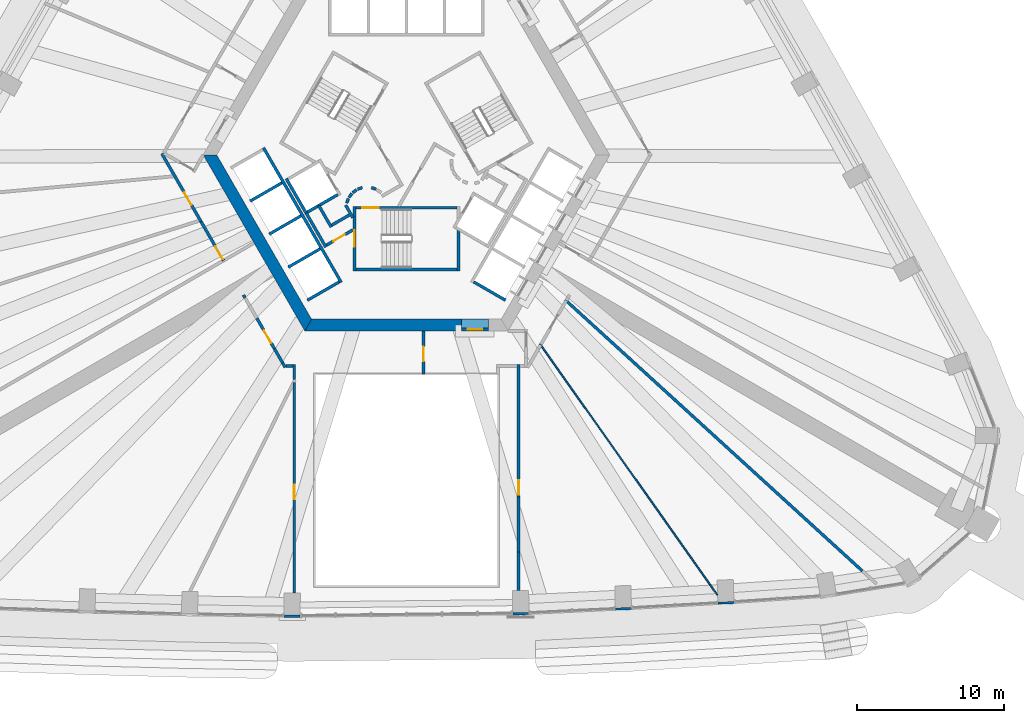
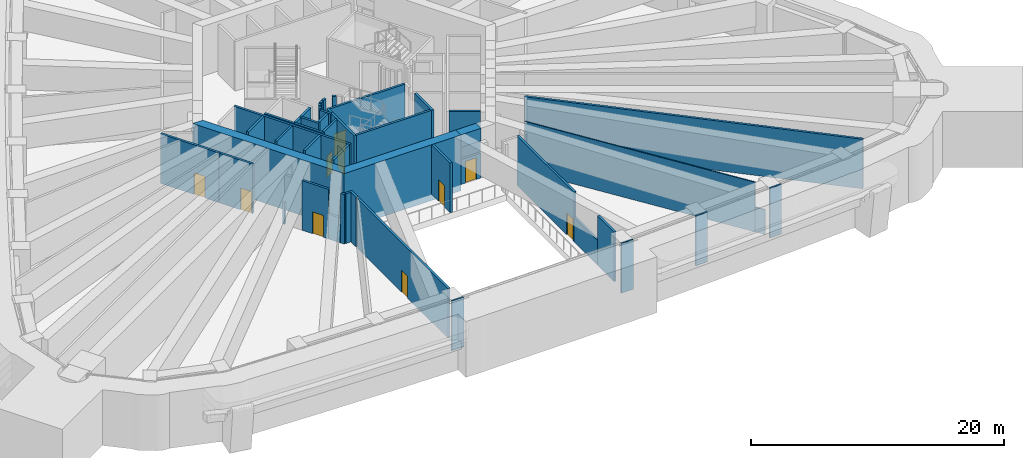
# One storey, part 9 of 22: 46 walls, 10 doors, 10 openings.
"""IFC4 building model written with IfcOpenShell, lengths in metres."""

from ifc_helpers import new_model, si_unit, direction, frame, frame_2d, origin, place, context, subcontext, project, spatial, polyline, rectangle, outline, extrude, material, layer, layer_set, type_object, element, fill, save


model = new_model("IFC4")

# Units and contexts
model_context = context("Model", 3, precision=1e-05, world=origin(), true_north=direction((0.0, 1.0)))
body_context = subcontext(model_context, "Body", "Model", "MODEL_VIEW")
ifc_project = project(units=[si_unit("LENGTHUNIT", "METRE"), si_unit("AREAUNIT", "SQUARE_METRE"), si_unit("VOLUMEUNIT", "CUBIC_METRE"), si_unit("PLANEANGLEUNIT", "RADIAN"), si_unit("MASSUNIT", "GRAM", prefix="KILO")], contexts=[model_context])

# Site, building, storey
site_placement = place(None, origin())
site = spatial("IfcSite", under=ifc_project, at=site_placement, CompositionType="ELEMENT")
building_placement = place(site_placement, origin())
building = spatial("IfcBuilding", under=site, at=building_placement, Name="Entoto Arch Interchange Tower", CompositionType="ELEMENT")
storey_placement = place(building_placement, frame((0.0, 0.0, 132.800048828125)))
storey = spatial("IfcBuildingStorey", under=building, at=storey_placement, Name="L29", CompositionType="ELEMENT", Elevation=132.800048828125)

# Wall, opening, door
ifc_material_1 = material(Name="Reinforced concrete C40/50", Category="concrete")
ifc_layer_1 = layer(ifc_material_1, 0.199951171875)
ifc_layer_set_1 = layer_set([ifc_layer_1], Name="Reinforced concrete C40/50")
wall_type_1 = type_object("IfcWallType", Name="CORE GAP INFILL WALL", PredefinedType="PARTITIONING", material=ifc_layer_set_1)
wall_1_placement = place(storey_placement, frame((3.75, -9.39990234375, 0.0), z_axis=(0.0, 0.0, 1.0), x_axis=(1.0, 0.0, 0.0)))
wall_1 = element("IfcWall", 1, at=wall_1_placement, inside=storey, type_object=wall_type_1, Name="wall:L29:gap1", PredefinedType="PARTITIONING", context=body_context, shape_type="SweptSolid", body=[
    extrude(rectangle(XDim=1.830078125, YDim=0.199951171875, at=frame_2d((0.9150390625, 0.0))), origin(), (0.0, 0.0, 1.0), 2.39990234375),
])
opening_1_placement = place(wall_1_placement, frame((0.4150390625, 0.0, 0.0)))
opening_1 = element("IfcOpeningElement", 2, at=opening_1_placement, cuts=wall_1, Name="Opening L29-D91", PredefinedType="OPENING", context=body_context, shape_type="SweptSolid", body=[
    extrude(rectangle(XDim=1.0, YDim=2.10009765625, at=frame_2d((0.5, 1.050048828125))), frame((0.0, 0.10986328125, 0.0), z_axis=(0.0, -1.0, 0.0), x_axis=(1.0, 0.0, 0.0)), (0.0, 0.0, 1.0), 0.219970703125),
])
ifc_material_2 = material(Name="Fire-rated Steel S235 door and frame", Category="steel")
door_type_1 = type_object("IfcDoorType", Name="DOOR FD-10 1000x2100", OperationType="SINGLE_SWING_LEFT", PredefinedType="DOOR", material=ifc_material_2)
door_1_placement = place(opening_1_placement, origin())
door_1 = element("IfcDoor", 3, at=door_1_placement, inside=storey, type_object=door_type_1, Name="door:L29:gap1", OperationType="SINGLE_SWING_LEFT", OverallHeight=2.10009765625, OverallWidth=1.0, PredefinedType="DOOR", context=body_context, shape_type="SweptSolid", body=[
    extrude(rectangle(XDim=1.0, YDim=2.10009765625, at=frame_2d((0.5, 1.050048828125))), frame((0.0, 0.02490234375, 0.0), z_axis=(0.0, -1.0, 0.0), x_axis=(1.0, 0.0, 0.0)), (0.0, 0.0, 1.0), 0.050048828125),
])
fill(opening_1, door_1)

# Walls
ifc_material_3 = material(Name="Concrete C60/75", Category="concrete")
ifc_layer_2 = layer(ifc_material_3, 0.800048828125)
ifc_layer_set_2 = layer_set([ifc_layer_2], Name="Concrete C60/75")
wall_type_2 = type_object("IfcWallType", Name="Core wall 800 C60/75", PredefinedType="SHEAR", material=ifc_layer_set_2)
wall_2_placement = place(storey_placement, frame((0.0, 0.0, -0.60009765625)))
element("IfcWall", 4, at=wall_2_placement, inside=storey, type_object=wall_type_2, Name="Core wall SW L29", PredefinedType="SHEAR", context=body_context, shape_type="SweptSolid", body=[
    extrude(outline(polyline([(-13.85595703125, 2.5), (-6.927978515625, -9.5), (-6.466064453125, -8.699951171875), (-12.93310546875, 2.5), (-13.85595703125, 2.5)])), origin(), (0.0, 0.0, 1.0), 5.400146484375),
])
wall_3_placement = place(storey_placement, frame((0.0, 0.0, -0.60009765625)))
element("IfcWall", 5, at=wall_3_placement, inside=storey, type_object=wall_type_2, Name="Core wall S L29", PredefinedType="SHEAR", context=body_context, shape_type="SweptSolid", body=[
    extrude(outline(polyline([(3.75, -9.5), (3.75, -8.699951171875), (-6.466064453125, -8.699951171875), (-6.927978515625, -9.5), (3.75, -9.5)])), origin(), (0.0, 0.0, 1.0), 5.400146484375),
])
wall_4_placement = place(storey_placement, frame((0.0, 0.0, 3.599853515625)))
element("IfcWall", 6, at=wall_4_placement, inside=storey, type_object=wall_type_2, Name="Core wall lintel S L29", PredefinedType="SHEAR", context=body_context, shape_type="SweptSolid", body=[
    extrude(outline(polyline([(5.580078125, -9.5), (5.580078125, -8.699951171875), (3.75, -8.699951171875), (3.75, -9.5), (5.580078125, -9.5)])), origin(), (0.0, 0.0, 1.0), 1.2001953125),
])
ifc_material_4 = material(Name="Concrete C40/50", Category="concrete")
ifc_layer_3 = layer(ifc_material_4, 0.199951171875)
ifc_layer_set_3 = layer_set([ifc_layer_3], Name="Concrete C40/50")
wall_type_3 = type_object("IfcWallType", Name="LIFT SHAFT WALL 200", PredefinedType="STANDARD", material=ifc_layer_set_3)
wall_5_placement = place(storey_placement, frame((-8.19189453125, 0.887939453125, 0.0), z_axis=(0.0, 0.0, 1.0), x_axis=(0.49994636267, -0.866056369097, 0.0)))
element("IfcWall", 7, at=wall_5_placement, inside=storey, type_object=wall_type_3, Name="Shaft wall SW1 back", PredefinedType="STANDARD", context=body_context, shape_type="SweptSolid", body=[
    extrude(rectangle(XDim=2.800048828125, YDim=0.199951171875, at=frame_2d((1.39990234375, 0.0))), origin(), (0.0, 0.0, 1.0), 4.800048828125),
])
wall_6_placement = place(storey_placement, frame((-4.677001953125, -0.199951171875, 0.0), z_axis=(0.0, 0.0, 1.0), x_axis=(-0.865973769406, -0.500089422704, 0.0)))
element("IfcWall", 8, at=wall_6_placement, inside=storey, type_object=wall_type_3, Name="Shaft wall SW1 cross 2", PredefinedType="STANDARD", context=body_context, shape_type="SweptSolid", body=[
    extrude(rectangle(XDim=2.3994140625, YDim=0.199951171875, at=frame_2d((1.19970703125, 0.0))), origin(), (0.0, 0.0, 1.0), 4.800048828125),
])
wall_7_placement = place(storey_placement, frame((-9.7509765625, 2.989990234375, 0.0), z_axis=(0.0, 0.0, 1.0), x_axis=(0.50000090737, -0.866024879913, 0.0)))
element("IfcWall", 9, at=wall_7_placement, inside=storey, type_object=wall_type_3, Name="Shaft wall SW3 front", PredefinedType="STANDARD", context=body_context, shape_type="SweptSolid", body=[
    extrude(rectangle(XDim=10.60009765625, YDim=0.199951171875, at=frame_2d((5.300048828125, 0.0))), origin(), (0.0, 0.0, 1.0), 4.800048828125),
])
for number, where, z_axis, x_axis, name in (
    (10, (-8.488037109375, 0.60205078125, 0.0), (0.0, 0.0, 1.0), (-0.866022959057, -0.500004234368, 0.0), "Shaft wall SW3 cross 2"),
    (11, (-7.18798828125, -1.64990234375, 0.0), (0.0, 0.0, 1.0), (-0.866022959057, -0.500004234368, 0.0), "Shaft wall SW3 cross 3"),
    (12, (-5.887939453125, -3.902099609375, 0.0), (0.0, 0.0, 1.0), (-0.866022959057, -0.500004234368, 0.0), "Shaft wall SW3 cross 4"),
    (13, (-4.587890625, -6.153076171875, 0.0), (0.0, 0.0, 1.0), (-0.866022959057, -0.500004234368, 0.0), "Shaft wall SW3 cross 5"),
    (14, (4.587890625, -6.153076171875, 0.0), (0.0, 0.0, 1.0), (0.866022959057, -0.500004234368, 0.0), "Shaft wall SE3 cross 1"),
):
    element("IfcWall", number, at=place(storey_placement, frame(where, z_axis=z_axis, x_axis=x_axis)), inside=storey, type_object=wall_type_3, Name=name, PredefinedType="STANDARD", context=body_context, shape_type="SweptSolid", body=[
        extrude(rectangle(XDim=2.5, YDim=0.199951171875, at=frame_2d((1.25, 0.0))), origin(), (0.0, 0.0, 1.0), 4.800048828125),
    ])
ifc_material_5 = material(Name="Gypsum board partition on steel studs", Category="steel")
ifc_layer_4 = layer(ifc_material_5, 0.10009765625)
ifc_layer_set_4 = layer_set([ifc_layer_4], Name="Gypsum board partition on steel studs")
wall_type_4 = type_object("IfcWallType", Name="PARTITION 100", PredefinedType="PARTITIONING", material=ifc_layer_set_4)
wall_8_placement = place(storey_placement, frame((9.092041015625, -10.3701171875, 0.0), z_axis=(0.0, 0.0, 1.0), x_axis=(0.577122389033, -0.816657668841, 0.0)))
element("IfcWall", 15, at=wall_8_placement, inside=storey, type_object=wall_type_4, Name="wall:L29:p042", PredefinedType="PARTITIONING", context=body_context, shape_type="SweptSolid", body=[
    extrude(rectangle(XDim=20.118408203125, YDim=0.10009765625, at=frame_2d((10.05908203125, 0.0))), origin(), (0.0, 0.0, 1.0), 4.800048828125),
])
wall_9_placement = place(storey_placement, frame((20.702880859375, -26.800048828125, 0.0), z_axis=(0.0, 0.0, 1.0), x_axis=(0.577265327721, -0.816556636989, 0.0)))
element("IfcWall", 16, at=wall_9_placement, inside=storey, type_object=wall_type_4, Name="wall:L29:p042", PredefinedType="PARTITIONING", context=body_context, shape_type="SweptSolid", body=[
    extrude(rectangle(XDim=0.85595703125, YDim=0.10009765625, at=frame_2d((0.427978515625, 0.0))), origin(), (0.0, 0.0, 1.0), 2.39990234375),
])
ifc_layer_5 = layer(ifc_material_5, 0.199951171875)
ifc_layer_set_5 = layer_set([ifc_layer_5], Name="Gypsum board partition on steel studs")
wall_type_5 = type_object("IfcWallType", Name="PARTITION 200", PredefinedType="PARTITIONING", material=ifc_layer_set_5)
wall_10_placement = place(storey_placement, frame((-3.89990234375, -1.59912109375, 0.0), z_axis=(0.0, 0.0, 1.0), x_axis=(-0.865969445389, -0.500096910261, 0.0)))
element("IfcWall", 17, at=wall_10_placement, inside=storey, type_object=wall_type_5, Name="wall:L29:p007", PredefinedType="PARTITIONING", context=body_context, shape_type="SweptSolid", body=[
    extrude(rectangle(XDim=1.373291015625, YDim=0.199951171875, at=frame_2d((0.6865234375, 0.0))), origin(), (0.0, 0.0, 1.0), 4.800048828125),
])
wall_11_placement = place(storey_placement, frame((-5.1259765625, -2.422119140625, 0.0), z_axis=(0.0, 0.0, 1.0), x_axis=(-0.500062241894, 0.865989465428, 0.0)))
element("IfcWall", 18, at=wall_11_placement, inside=storey, type_object=wall_type_5, Name="wall:L29:p008", PredefinedType="PARTITIONING", context=body_context, shape_type="SweptSolid", body=[
    extrude(rectangle(XDim=1.699951171875, YDim=0.199951171875, at=frame_2d((0.85009765625, 0.0))), origin(), (0.0, 0.0, 1.0), 4.800048828125),
])
wall_12_placement = place(storey_placement, frame((-5.491943359375, -3.7880859375, 0.0), z_axis=(0.0, 0.0, 1.0), x_axis=(-0.500008949224, 0.866020236886, 0.0)))
element("IfcWall", 19, at=wall_12_placement, inside=storey, type_object=wall_type_5, Name="wall:L29:p009", PredefinedType="PARTITIONING", context=body_context, shape_type="SweptSolid", body=[
    extrude(rectangle(XDim=2.68017578125, YDim=0.199951171875, at=frame_2d((1.340087890625, 0.0))), origin(), (0.0, 0.0, 1.0), 4.800048828125),
])
wall_13_placement = place(storey_placement, frame((-4.14501953125, -0.919921875, 0.0), z_axis=(0.0, 0.0, 1.0), x_axis=(0.499743786207, -0.866173278362, 0.0)))
element("IfcWall", 20, at=wall_13_placement, inside=storey, type_object=wall_type_5, Name="wall:L29:p010", PredefinedType="PARTITIONING", context=body_context, shape_type="SweptSolid", body=[
    extrude(rectangle(XDim=0.99072265625, YDim=0.199951171875, at=frame_2d((0.495361328125, 0.0))), origin(), (0.0, 0.0, 1.0), 4.800048828125),
])

# Wall, opening, door
wall_14_placement = place(storey_placement, frame((-3.64990234375, -2.610107421875, 0.0), z_axis=(0.0, 0.0, 1.0), x_axis=(-0.866072462134, -0.499918483688, 0.0)))
wall_14 = element("IfcWall", 21, at=wall_14_placement, inside=storey, type_object=wall_type_5, Name="wall:L29:p011", PredefinedType="PARTITIONING", context=body_context, shape_type="SweptSolid", body=[
    extrude(rectangle(XDim=2.084228515625, YDim=0.199951171875, at=frame_2d((1.0419921875, 0.0))), origin(), (0.0, 0.0, 1.0), 4.800048828125),
])
opening_2_placement = place(wall_14_placement, frame((0.64208984375, 0.0, 0.0)))
opening_2 = element("IfcOpeningElement", 22, at=opening_2_placement, cuts=wall_14, Name="Opening L29-D23", PredefinedType="OPENING", context=body_context, shape_type="SweptSolid", body=[
    extrude(rectangle(XDim=0.89990234375, YDim=2.10009765625, at=frame_2d((0.449951171875, 1.050048828125))), frame((0.0, 0.10986328125, 0.0), z_axis=(0.0, -1.0, 0.0), x_axis=(1.0, 0.0, 0.0)), (0.0, 0.0, 1.0), 0.219970703125),
])
ifc_material_6 = material(Name="Timber door leaf in Steel S235 frame", Category="steel")
door_type_2 = type_object("IfcDoorType", Name="DOOR DS-09 900x2100", OperationType="SINGLE_SWING_LEFT", PredefinedType="DOOR", material=ifc_material_6)
door_2_placement = place(opening_2_placement, origin())
door_2 = element("IfcDoor", 23, at=door_2_placement, inside=storey, type_object=door_type_2, Name="door:L29:23", OperationType="SINGLE_SWING_LEFT", OverallHeight=2.10009765625, OverallWidth=0.89990234375, PredefinedType="DOOR", context=body_context, shape_type="SweptSolid", body=[
    extrude(rectangle(XDim=0.89990234375, YDim=2.10009765625, at=frame_2d((0.449951171875, 1.050048828125))), frame((0.0, 0.02490234375, 0.0), z_axis=(0.0, -1.0, 0.0), x_axis=(1.0, 0.0, 0.0)), (0.0, 0.0, 1.0), 0.050048828125),
])
fill(opening_2, door_2)

# Walls
wall_15_placement = place(storey_placement, frame((-2.070068359375, 0.159912109375, 0.0), z_axis=(0.0, 0.0, 1.0), x_axis=(-0.942199461132, 0.335052496547, 0.0)))
element("IfcWall", 24, at=wall_15_placement, inside=storey, type_object=wall_type_5, Name="wall:L29:p022", PredefinedType="PARTITIONING", context=body_context, shape_type="SweptSolid", body=[
    extrude(rectangle(XDim=0.33740234375, YDim=0.199951171875, at=frame_2d((0.168701171875, 0.0))), origin(), (0.0, 0.0, 1.0), 4.800048828125),
])
wall_16_placement = place(storey_placement, frame((-3.011962890625, 0.27294921875, 0.0), z_axis=(0.0, 0.0, 1.0), x_axis=(-0.942280615813, -0.334824194261, 0.0)))
element("IfcWall", 25, at=wall_16_placement, inside=storey, type_object=wall_type_5, Name="wall:L29:p023", PredefinedType="PARTITIONING", context=body_context, shape_type="SweptSolid", body=[
    extrude(rectangle(XDim=0.337646484375, YDim=0.199951171875, at=frame_2d((0.1689453125, 0.0))), origin(), (0.0, 0.0, 1.0), 4.800048828125),
])
wall_17_placement = place(storey_placement, frame((-3.39697265625, 0.1240234375, 0.0), z_axis=(0.0, 0.0, 1.0), x_axis=(-0.804311165252, -0.594208338422, 0.0)))
element("IfcWall", 26, at=wall_17_placement, inside=storey, type_object=wall_type_5, Name="wall:L29:p024", PredefinedType="PARTITIONING", context=body_context, shape_type="SweptSolid", body=[
    extrude(rectangle(XDim=0.338134765625, YDim=0.199951171875, at=frame_2d((0.1689453125, 0.0))), origin(), (0.0, 0.0, 1.0), 4.800048828125),
])
wall_18_placement = place(storey_placement, frame((-3.722900390625, -0.131103515625, 0.0), z_axis=(0.0, 0.0, 1.0), x_axis=(-0.594675113454, -0.803966112121, 0.0)))
element("IfcWall", 27, at=wall_18_placement, inside=storey, type_object=wall_type_5, Name="wall:L29:p025", PredefinedType="PARTITIONING", context=body_context, shape_type="SweptSolid", body=[
    extrude(rectangle(XDim=0.33837890625, YDim=0.199951171875, at=frame_2d((0.169189453125, 0.0))), origin(), (0.0, 0.0, 1.0), 4.800048828125),
])
wall_19_placement = place(storey_placement, frame((-3.9599609375, -0.469970703125, 0.0), z_axis=(0.0, 0.0, 1.0), x_axis=(-0.334824194261, -0.942280615813, 0.0)))
element("IfcWall", 28, at=wall_19_placement, inside=storey, type_object=wall_type_5, Name="wall:L29:p026", PredefinedType="PARTITIONING", context=body_context, shape_type="SweptSolid", body=[
    extrude(rectangle(XDim=0.337646484375, YDim=0.199951171875, at=frame_2d((0.1689453125, 0.0))), origin(), (0.0, 0.0, 1.0), 4.800048828125),
])

# Wall, opening, door
wall_20_placement = place(storey_placement, frame((1.1650390625, -12.449951171875, 0.0), z_axis=(0.0, 0.0, 1.0), x_axis=(0.0, 1.0, 0.0)))
wall_20 = element("IfcWall", 29, at=wall_20_placement, inside=storey, type_object=wall_type_5, Name="wall:L29:p028", PredefinedType="PARTITIONING", context=body_context, shape_type="SweptSolid", body=[
    extrude(rectangle(XDim=2.949951171875, YDim=0.199951171875, at=frame_2d((1.47509765625, 0.0))), origin(), (0.0, 0.0, 1.0), 4.800048828125),
])
opening_3_placement = place(wall_20_placement, frame((0.8759765625, 0.0, 0.0)))
opening_3 = element("IfcOpeningElement", 30, at=opening_3_placement, cuts=wall_20, Name="Opening L29-D01", PredefinedType="OPENING", context=body_context, shape_type="SweptSolid", body=[
    extrude(rectangle(XDim=1.0, YDim=2.10009765625, at=frame_2d((0.5, 1.050048828125))), frame((0.0, 0.10986328125, 0.0), z_axis=(0.0, -1.0, 0.0), x_axis=(1.0, 0.0, 0.0)), (0.0, 0.0, 1.0), 0.219970703125),
])
door_3_placement = place(opening_3_placement, origin())
door_3 = element("IfcDoor", 31, at=door_3_placement, inside=storey, type_object=door_type_1, Name="door:L29:01", OperationType="SINGLE_SWING_LEFT", OverallHeight=2.10009765625, OverallWidth=1.0, PredefinedType="DOOR", context=body_context, shape_type="SweptSolid", body=[
    extrude(rectangle(XDim=1.0, YDim=2.10009765625, at=frame_2d((0.5, 1.050048828125))), frame((0.0, 0.02490234375, 0.0), z_axis=(0.0, -1.0, 0.0), x_axis=(1.0, 0.0, 0.0)), (0.0, 0.0, 1.0), 0.050048828125),
])
fill(opening_3, door_3)

wall_21_placement = place(storey_placement, frame((7.64990234375, -11.800048828125, 0.0), z_axis=(0.0, 0.0, 1.0), x_axis=(0.0, -1.0, 0.0)))
wall_21 = element("IfcWall", 32, at=wall_21_placement, inside=storey, type_object=wall_type_5, Name="wall:L29:p034", PredefinedType="PARTITIONING", context=body_context, shape_type="SweptSolid", body=[
    extrude(rectangle(XDim=9.005859375, YDim=0.199951171875, at=frame_2d((4.5029296875, 0.0))), origin(), (0.0, 0.0, 1.0), 4.800048828125),
])
opening_4_placement = place(wall_21_placement, frame((7.864013671875, 0.0, 0.0)))
opening_4 = element("IfcOpeningElement", 33, at=opening_4_placement, cuts=wall_21, Name="Opening L29-D18", PredefinedType="OPENING", context=body_context, shape_type="SweptSolid", body=[
    extrude(rectangle(XDim=1.0, YDim=2.10009765625, at=frame_2d((0.5, 1.050048828125))), frame((0.0, 0.10986328125, 0.0), z_axis=(0.0, -1.0, 0.0), x_axis=(1.0, 0.0, 0.0)), (0.0, 0.0, 1.0), 0.219970703125),
])
door_type_3 = type_object("IfcDoorType", Name="DOOR DS-10 1000x2100", OperationType="SINGLE_SWING_LEFT", PredefinedType="DOOR", material=ifc_material_6)
door_4_placement = place(opening_4_placement, origin())
door_4 = element("IfcDoor", 34, at=door_4_placement, inside=storey, type_object=door_type_3, Name="door:L29:18", OperationType="SINGLE_SWING_RIGHT", OverallHeight=2.10009765625, OverallWidth=1.0, PredefinedType="DOOR", context=body_context, shape_type="SweptSolid", body=[
    extrude(rectangle(XDim=1.0, YDim=2.10009765625, at=frame_2d((0.5, 1.050048828125))), frame((0.0, 0.02490234375, 0.0), z_axis=(0.0, -1.0, 0.0), x_axis=(1.0, 0.0, 0.0)), (0.0, 0.0, 1.0), 0.050048828125),
])
fill(opening_4, door_4)

# Walls
wall_22_placement = place(storey_placement, frame((-7.64990234375, -12.825927734375, 0.0), z_axis=(0.0, 0.0, 1.0), x_axis=(0.0, 1.0, 0.0)))
element("IfcWall", 35, at=wall_22_placement, inside=storey, type_object=wall_type_5, Name="wall:L29:p035", PredefinedType="PARTITIONING", context=body_context, shape_type="SweptSolid", body=[
    extrude(rectangle(XDim=1.02587890625, YDim=0.199951171875, at=frame_2d((0.512939453125, 0.0))), origin(), (0.0, 0.0, 1.0), 4.800048828125),
])
wall_23_placement = place(storey_placement, frame((-7.75, -11.89990234375, 0.0), z_axis=(0.0, 0.0, 1.0), x_axis=(-1.0, 0.0, 0.0)))
element("IfcWall", 36, at=wall_23_placement, inside=storey, type_object=wall_type_5, Name="wall:L29:p036", PredefinedType="PARTITIONING", context=body_context, shape_type="SweptSolid", body=[
    extrude(rectangle(XDim=0.464111328125, YDim=0.199951171875, at=frame_2d((0.23193359375, 0.0))), origin(), (0.0, 0.0, 1.0), 4.800048828125),
])
wall_24_placement = place(storey_placement, frame((-8.263916015625, -11.987060546875, 0.0), z_axis=(0.0, 0.0, 1.0), x_axis=(-0.499011179969, 0.866595547107, 0.0)))
element("IfcWall", 37, at=wall_24_placement, inside=storey, type_object=wall_type_5, Name="wall:L29:p037", PredefinedType="PARTITIONING", context=body_context, shape_type="SweptSolid", body=[
    extrude(rectangle(XDim=0.356689453125, YDim=0.199951171875, at=frame_2d((0.17822265625, 0.0))), origin(), (0.0, 0.0, 1.0), 4.800048828125),
])

# Wall, opening, door
wall_25_placement = place(storey_placement, frame((-7.64990234375, -27.35595703125, 0.0), z_axis=(0.0, 0.0, 1.0), x_axis=(0.0, 1.0, 0.0)))
wall_25 = element("IfcWall", 38, at=wall_25_placement, inside=storey, type_object=wall_type_5, Name="wall:L29:p038", PredefinedType="PARTITIONING", context=body_context, shape_type="SweptSolid", body=[
    extrude(rectangle(XDim=14.330078125, YDim=0.199951171875, at=frame_2d((7.1650390625, 0.0))), origin(), (0.0, 0.0, 1.0), 4.800048828125),
])
opening_5_placement = place(wall_25_placement, frame((6.375, 0.0, 0.0)))
opening_5 = element("IfcOpeningElement", 39, at=opening_5_placement, cuts=wall_25, Name="Opening L29-D04", PredefinedType="OPENING", context=body_context, shape_type="SweptSolid", body=[
    extrude(rectangle(XDim=1.0, YDim=2.10009765625, at=frame_2d((0.5, 1.050048828125))), frame((0.0, 0.10986328125, 0.0), z_axis=(0.0, -1.0, 0.0), x_axis=(1.0, 0.0, 0.0)), (0.0, 0.0, 1.0), 0.219970703125),
])
door_5_placement = place(opening_5_placement, origin())
door_5 = element("IfcDoor", 40, at=door_5_placement, inside=storey, type_object=door_type_3, Name="door:L29:04", OperationType="SINGLE_SWING_RIGHT", OverallHeight=2.10009765625, OverallWidth=1.0, PredefinedType="DOOR", context=body_context, shape_type="SweptSolid", body=[
    extrude(rectangle(XDim=1.0, YDim=2.10009765625, at=frame_2d((0.5, 1.050048828125))), frame((0.0, 0.02490234375, 0.0), z_axis=(0.0, -1.0, 0.0), x_axis=(1.0, 0.0, 0.0)), (0.0, 0.0, 1.0), 0.050048828125),
])
fill(opening_5, door_5)

# Wall
wall_26_placement = place(storey_placement, frame((10.81591796875, -7.3701171875, 0.0), z_axis=(0.0, 0.0, 1.0), x_axis=(0.738728492096, -0.674003126822, 0.0)))
element("IfcWall", 41, at=wall_26_placement, inside=storey, type_object=wall_type_5, Name="wall:L29:p045", PredefinedType="PARTITIONING", context=body_context, shape_type="SweptSolid", body=[
    extrude(rectangle(XDim=27.444580078125, YDim=0.199951171875, at=frame_2d((13.72216796875, 0.0))), origin(), (0.0, 0.0, 1.0), 4.800048828125),
])

# Wall, opening, door
wall_27_placement = place(storey_placement, frame((-14.0009765625, -2.050048828125, 0.0), z_axis=(0.0, 0.0, 1.0), x_axis=(-0.499842197933, 0.866116491683, 0.0)))
wall_27 = element("IfcWall", 42, at=wall_27_placement, inside=storey, type_object=wall_type_5, Name="wall:L29:p068", PredefinedType="PARTITIONING", context=body_context, shape_type="SweptSolid", body=[
    extrude(rectangle(XDim=5.353759765625, YDim=0.199951171875, at=frame_2d((2.6767578125, 0.0))), origin(), (0.0, 0.0, 1.0), 4.800048828125),
])
opening_6_placement = place(wall_27_placement, frame((1.301025390625, 0.0, 0.0)))
opening_6 = element("IfcOpeningElement", 43, at=opening_6_placement, cuts=wall_27, Name="Opening L29-D16", PredefinedType="OPENING", context=body_context, shape_type="SweptSolid", body=[
    extrude(rectangle(XDim=1.0, YDim=2.10009765625, at=frame_2d((0.5, 1.050048828125))), frame((0.0, 0.10986328125, 0.0), z_axis=(0.0, -1.0, 0.0), x_axis=(1.0, 0.0, 0.0)), (0.0, 0.0, 1.0), 0.219970703125),
])
door_6_placement = place(opening_6_placement, origin())
door_6 = element("IfcDoor", 44, at=door_6_placement, inside=storey, type_object=door_type_1, Name="door:L29:16", OperationType="SINGLE_SWING_RIGHT", OverallHeight=2.10009765625, OverallWidth=1.0, PredefinedType="DOOR", context=body_context, shape_type="SweptSolid", body=[
    extrude(rectangle(XDim=1.0, YDim=2.10009765625, at=frame_2d((0.5, 1.050048828125))), frame((0.0, 0.02490234375, 0.0), z_axis=(0.0, -1.0, 0.0), x_axis=(1.0, 0.0, 0.0)), (0.0, 0.0, 1.0), 0.050048828125),
])
fill(opening_6, door_6)

wall_28_placement = place(storey_placement, frame((-14.0009765625, -2.050048828125, 0.0), z_axis=(0.0, 0.0, 1.0), x_axis=(0.500026340207, -0.866010195725, 0.0)))
wall_28 = element("IfcWall", 45, at=wall_28_placement, inside=storey, type_object=wall_type_5, Name="wall:L29:p069", PredefinedType="PARTITIONING", context=body_context, shape_type="SweptSolid", body=[
    extrude(rectangle(XDim=3.059814453125, YDim=0.199951171875, at=frame_2d((1.52978515625, 0.0))), origin(), (0.0, 0.0, 1.0), 4.800048828125),
])
opening_7_placement = place(wall_28_placement, frame((1.9599609375, 0.0, 0.0)))
opening_7 = element("IfcOpeningElement", 46, at=opening_7_placement, cuts=wall_28, Name="Opening L29-D17", PredefinedType="OPENING", context=body_context, shape_type="SweptSolid", body=[
    extrude(rectangle(XDim=1.0, YDim=2.10009765625, at=frame_2d((0.5, 1.050048828125))), frame((0.0, 0.10986328125, 0.0), z_axis=(0.0, -1.0, 0.0), x_axis=(1.0, 0.0, 0.0)), (0.0, 0.0, 1.0), 0.219970703125),
])
door_7_placement = place(opening_7_placement, origin())
door_7 = element("IfcDoor", 47, at=door_7_placement, inside=storey, type_object=door_type_3, Name="door:L29:17", OperationType="SINGLE_SWING_LEFT", OverallHeight=2.10009765625, OverallWidth=1.0, PredefinedType="DOOR", context=body_context, shape_type="SweptSolid", body=[
    extrude(rectangle(XDim=1.0, YDim=2.10009765625, at=frame_2d((0.5, 1.050048828125))), frame((0.0, 0.02490234375, 0.0), z_axis=(0.0, -1.0, 0.0), x_axis=(1.0, 0.0, 0.0)), (0.0, 0.0, 1.0), 0.050048828125),
])
fill(opening_7, door_7)

# Walls
wall_29_placement = place(storey_placement, frame((7.64990234375, -20.805908203125, 0.0), z_axis=(0.0, 0.0, 1.0), x_axis=(0.0, -1.0, 0.0)))
element("IfcWall", 48, at=wall_29_placement, inside=storey, type_object=wall_type_5, Name="wall:L29:p034", PredefinedType="PARTITIONING", context=body_context, shape_type="SweptSolid", body=[
    extrude(rectangle(XDim=3.755126953125, YDim=0.199951171875, at=frame_2d((1.87744140625, 0.0))), origin(), (0.0, 0.0, 1.0), 2.39990234375),
])
wall_30_placement = place(storey_placement, frame((7.64990234375, -24.56103515625, 0.0), z_axis=(0.0, 0.0, 1.0), x_axis=(0.0, -1.0, 0.0)))
element("IfcWall", 49, at=wall_30_placement, inside=storey, type_object=wall_type_5, Name="wall:L29:p034", PredefinedType="PARTITIONING", context=body_context, shape_type="SweptSolid", body=[
    extrude(rectangle(XDim=2.6220703125, YDim=0.199951171875, at=frame_2d((1.31103515625, 0.0))), origin(), (0.0, 0.0, 1.0), 4.800048828125),
])
wall_31_placement = place(storey_placement, frame((-8.44189453125, -11.677978515625, 0.0), z_axis=(0.0, 0.0, 1.0), x_axis=(-0.500408426468, 0.865789470206, 0.0)))
element("IfcWall", 50, at=wall_31_placement, inside=storey, type_object=wall_type_5, Name="wall:L29:p037", PredefinedType="PARTITIONING", context=body_context, shape_type="SweptSolid", body=[
    extrude(rectangle(XDim=1.119140625, YDim=0.199951171875, at=frame_2d((0.5595703125, 0.0))), origin(), (0.0, 0.0, 1.0), 2.39990234375),
])

# Wall, opening, door
wall_32_placement = place(storey_placement, frame((-9.001953125, -10.708984375, 0.0), z_axis=(0.0, 0.0, 1.0), x_axis=(-0.499654870059, 0.866224572975, 0.0)))
wall_32 = element("IfcWall", 51, at=wall_32_placement, inside=storey, type_object=wall_type_5, Name="wall:L29:p037", PredefinedType="PARTITIONING", context=body_context, shape_type="SweptSolid", body=[
    extrude(rectangle(XDim=2.397705078125, YDim=0.199951171875, at=frame_2d((1.19873046875, 0.0))), origin(), (0.0, 0.0, 1.0), 4.800048828125),
])
opening_8_placement = place(wall_32_placement, frame((0.444091796875, 0.0, 0.0)))
opening_8 = element("IfcOpeningElement", 52, at=opening_8_placement, cuts=wall_32, Name="Opening L29-D03", PredefinedType="OPENING", context=body_context, shape_type="SweptSolid", body=[
    extrude(rectangle(XDim=1.0, YDim=2.10009765625, at=frame_2d((0.5, 1.050048828125))), frame((0.0, 0.10986328125, 0.0), z_axis=(0.0, -1.0, 0.0), x_axis=(1.0, 0.0, 0.0)), (0.0, 0.0, 1.0), 0.219970703125),
])
door_8_placement = place(opening_8_placement, origin())
door_8 = element("IfcDoor", 53, at=door_8_placement, inside=storey, type_object=door_type_1, Name="door:L29:03", OperationType="SINGLE_SWING_LEFT", OverallHeight=2.10009765625, OverallWidth=1.0, PredefinedType="DOOR", context=body_context, shape_type="SweptSolid", body=[
    extrude(rectangle(XDim=1.0, YDim=2.10009765625, at=frame_2d((0.5, 1.050048828125))), frame((0.0, 0.02490234375, 0.0), z_axis=(0.0, -1.0, 0.0), x_axis=(1.0, 0.0, 0.0)), (0.0, 0.0, 1.0), 0.050048828125),
])
fill(opening_8, door_8)

# Walls
wall_33_placement = place(storey_placement, frame((-11.0, -7.2470703125, 0.0), z_axis=(0.0, 0.0, 1.0), x_axis=(-0.499504513693, 0.866311284008, 0.0)))
element("IfcWall", 54, at=wall_33_placement, inside=storey, type_object=wall_type_5, Name="wall:L29:p037", PredefinedType="PARTITIONING", context=body_context, shape_type="SweptSolid", body=[
    extrude(rectangle(XDim=0.226318359375, YDim=0.199951171875, at=frame_2d((0.11328125, 0.0))), origin(), (0.0, 0.0, 1.0), 2.099853515625),
])
ifc_material_7 = material(Name="Board-marked precast concrete C50/60", Category="concrete")
ifc_layer_6 = layer(ifc_material_7, 0.14990234375)
ifc_layer_set_6 = layer_set([ifc_layer_6], Name="Board-marked precast concrete C50/60")
wall_type_6 = type_object("IfcWallType", Name="PRECAST FRAME WALL 150", PredefinedType="STANDARD", material=ifc_layer_set_6)
for number, where, z_axis, x_axis, name in (
    (55, (-8.34912109375, -28.945068359375, 0.0), (0.0, 0.0, 1.0), (0.99995860686, -0.009098602504, 0.0), "Frame pier S04 L29"),
    (56, (7.2490234375, -28.781982421875, 0.0), (0.0, 0.0, 1.0), (0.99995860686, 0.009098602504, 0.0), "Frame pier S05 L29"),
):
    element("IfcWall", number, at=place(storey_placement, frame(where, z_axis=z_axis, x_axis=x_axis)), inside=storey, type_object=wall_type_6, Name=name, PredefinedType="STANDARD", context=body_context, shape_type="SweptSolid", body=[
        extrude(rectangle(XDim=1.10009765625, YDim=0.14990234375, at=frame_2d((0.550048828125, 0.0))), origin(), (0.0, 0.0, 1.0), 4.800048828125),
    ])
wall_34_placement = place(storey_placement, frame((14.242919921875, -28.4560546875, 0.0), z_axis=(0.0, 0.0, 1.0), x_axis=(0.999718180159, 0.023739424163, 0.0)))
element("IfcWall", 57, at=wall_34_placement, inside=storey, type_object=wall_type_6, Name="Frame pier S06 L29", PredefinedType="STANDARD", context=body_context, shape_type="SweptSolid", body=[
    extrude(rectangle(XDim=1.100341796875, YDim=0.14990234375, at=frame_2d((0.55029296875, 0.0))), origin(), (0.0, 0.0, 1.0), 4.800048828125),
])
wall_35_placement = place(storey_placement, frame((21.237060546875, -28.06103515625, 0.0), z_axis=(0.0, 0.0, 1.0), x_axis=(0.999368780235, 0.035525217693, 0.0)))
element("IfcWall", 58, at=wall_35_placement, inside=storey, type_object=wall_type_6, Name="Frame pier S07 L29", PredefinedType="STANDARD", context=body_context, shape_type="SweptSolid", body=[
    extrude(rectangle(XDim=1.099609375, YDim=0.14990234375, at=frame_2d((0.5498046875, 0.0))), origin(), (0.0, 0.0, 1.0), 4.800048828125),
])

# Wall, opening, door
ifc_layer_7 = layer(ifc_material_4, 0.199951171875)
ifc_layer_set_7 = layer_set([ifc_layer_7], Name="Concrete C40/50")
wall_type_7 = type_object("IfcWallType", Name="STAIR ENCLOSURE WALL 200", PredefinedType="STANDARD", material=ifc_layer_set_7)
wall_36_placement = place(storey_placement, frame((-3.550048828125, -1.0, 0.0), z_axis=(0.0, 0.0, 1.0), x_axis=(0.0, -1.0, 0.0)))
wall_36 = element("IfcWall", 59, at=wall_36_placement, inside=storey, type_object=wall_type_7, Name="Stair wall ST-S near", PredefinedType="STANDARD", context=body_context, shape_type="SweptSolid", body=[
    extrude(rectangle(XDim=4.39990234375, YDim=0.199951171875, at=frame_2d((2.199951171875, 0.0))), origin(), (0.0, 0.0, 1.0), 4.800048828125),
])
opening_9_placement = place(wall_36_placement, frame((1.64990234375, 0.0, 0.0)))
opening_9 = element("IfcOpeningElement", 60, at=opening_9_placement, cuts=wall_36, Name="Opening SD-ST-S-L29-E", PredefinedType="OPENING", context=body_context, shape_type="SweptSolid", body=[
    extrude(rectangle(XDim=1.10009765625, YDim=2.199951171875, at=frame_2d((0.550048828125, 1.10009765625))), frame((0.0, 0.10986328125, 0.0), z_axis=(0.0, -1.0, 0.0), x_axis=(1.0, 0.0, 0.0)), (0.0, 0.0, 1.0), 0.219970703125),
])
ifc_material_8 = material(Name="Steel S235", Category="steel")
door_type_4 = type_object("IfcDoorType", Name="STAIR DOOR SD1 1100x2200", OperationType="SINGLE_SWING_LEFT", PredefinedType="DOOR", material=ifc_material_8)
door_9_placement = place(opening_9_placement, origin())
door_9 = element("IfcDoor", 61, at=door_9_placement, inside=storey, type_object=door_type_4, Name="Stair door ST-S L29 end", OperationType="SINGLE_SWING_LEFT", OverallHeight=2.199951171875, OverallWidth=1.10009765625, PredefinedType="DOOR", context=body_context, shape_type="SweptSolid", body=[
    extrude(rectangle(XDim=1.10009765625, YDim=2.199951171875, at=frame_2d((0.550048828125, 1.10009765625))), frame((0.0, 0.02490234375, 0.0), z_axis=(0.0, -1.0, 0.0), x_axis=(1.0, 0.0, 0.0)), (0.0, 0.0, 1.0), 0.050048828125),
])
fill(opening_9, door_9)

# Wall
wall_37_placement = place(storey_placement, frame((3.550048828125, -2.6669921875, 0.0), z_axis=(0.0, 0.0, 1.0), x_axis=(0.0, -1.0, 0.0)))
element("IfcWall", 62, at=wall_37_placement, inside=storey, type_object=wall_type_7, Name="Stair wall ST-S far", PredefinedType="STANDARD", context=body_context, shape_type="SweptSolid", body=[
    extrude(rectangle(XDim=2.73291015625, YDim=0.199951171875, at=frame_2d((1.366455078125, 0.0))), origin(), (0.0, 0.0, 1.0), 4.800048828125),
])

# Wall, opening, door
wall_38_placement = place(storey_placement, frame((-3.449951171875, -1.10009765625, 0.0), z_axis=(0.0, 0.0, 1.0), x_axis=(1.0, 0.0, 0.0)))
wall_38 = element("IfcWall", 63, at=wall_38_placement, inside=storey, type_object=wall_type_7, Name="Stair wall ST-S hall", PredefinedType="STANDARD", context=body_context, shape_type="SweptSolid", body=[
    extrude(rectangle(XDim=6.89990234375, YDim=0.199951171875, at=frame_2d((3.449951171875, 0.0))), origin(), (0.0, 0.0, 1.0), 4.800048828125),
])
opening_10_placement = place(wall_38_placement, frame((0.449951171875, 0.0, 0.0)))
opening_10 = element("IfcOpeningElement", 64, at=opening_10_placement, cuts=wall_38, Name="Opening SD-ST-S-L29", PredefinedType="OPENING", context=body_context, shape_type="SweptSolid", body=[
    extrude(rectangle(XDim=1.10009765625, YDim=2.199951171875, at=frame_2d((0.550048828125, 1.10009765625))), frame((0.0, 0.10986328125, 0.0), z_axis=(0.0, -1.0, 0.0), x_axis=(1.0, 0.0, 0.0)), (0.0, 0.0, 1.0), 0.219970703125),
])
door_10_placement = place(opening_10_placement, origin())
door_10 = element("IfcDoor", 65, at=door_10_placement, inside=storey, type_object=door_type_4, Name="Stair door ST-S L29", OperationType="SINGLE_SWING_LEFT", OverallHeight=2.199951171875, OverallWidth=1.10009765625, PredefinedType="DOOR", context=body_context, shape_type="SweptSolid", body=[
    extrude(rectangle(XDim=1.10009765625, YDim=2.199951171875, at=frame_2d((0.550048828125, 1.10009765625))), frame((0.0, 0.02490234375, 0.0), z_axis=(0.0, -1.0, 0.0), x_axis=(1.0, 0.0, 0.0)), (0.0, 0.0, 1.0), 0.050048828125),
])
fill(opening_10, door_10)

# Wall
wall_39_placement = place(storey_placement, frame((-3.449951171875, -5.300048828125, 0.0), z_axis=(0.0, 0.0, 1.0), x_axis=(1.0, 0.0, 0.0)))
element("IfcWall", 66, at=wall_39_placement, inside=storey, type_object=wall_type_7, Name="Stair wall ST-S back", PredefinedType="STANDARD", context=body_context, shape_type="SweptSolid", body=[
    extrude(rectangle(XDim=6.89990234375, YDim=0.199951171875, at=frame_2d((3.449951171875, 0.0))), origin(), (0.0, 0.0, 1.0), 4.800048828125),
])

save(model, "model.ifc")
